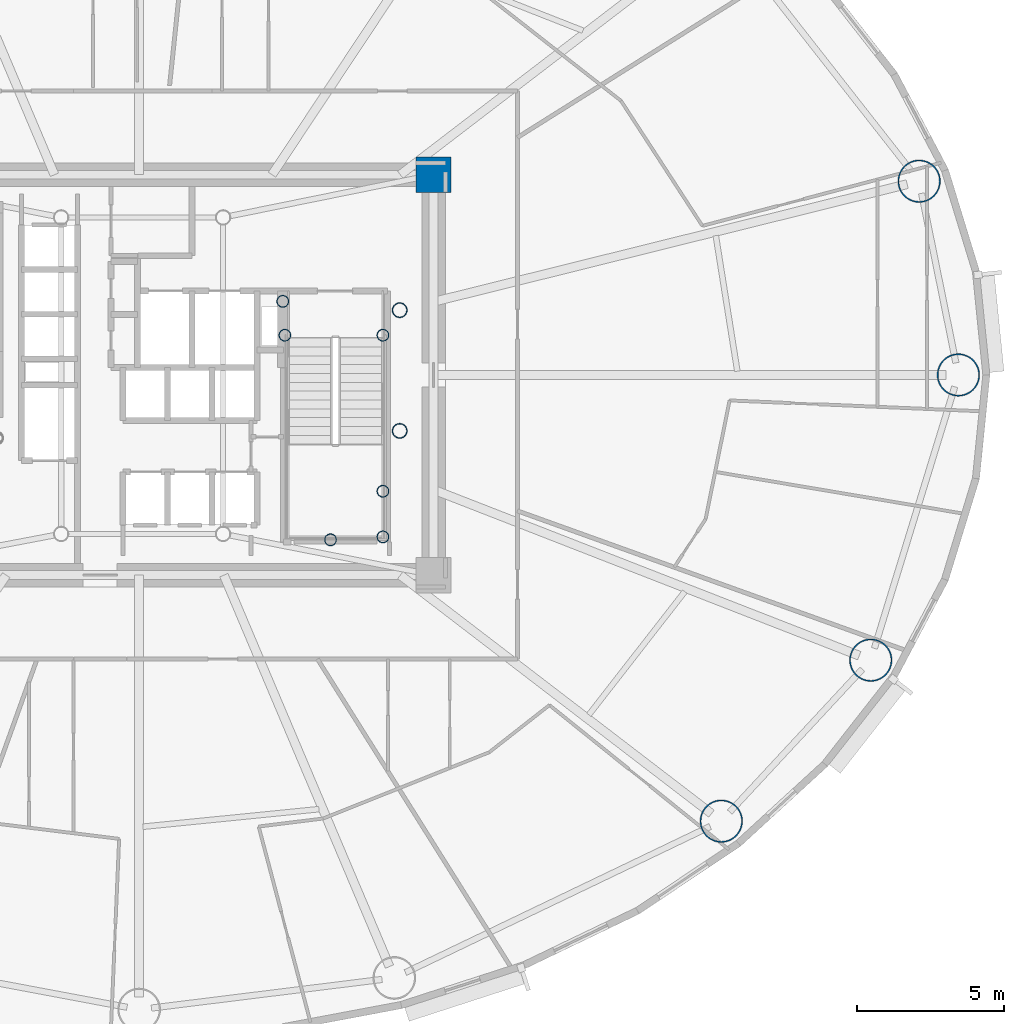
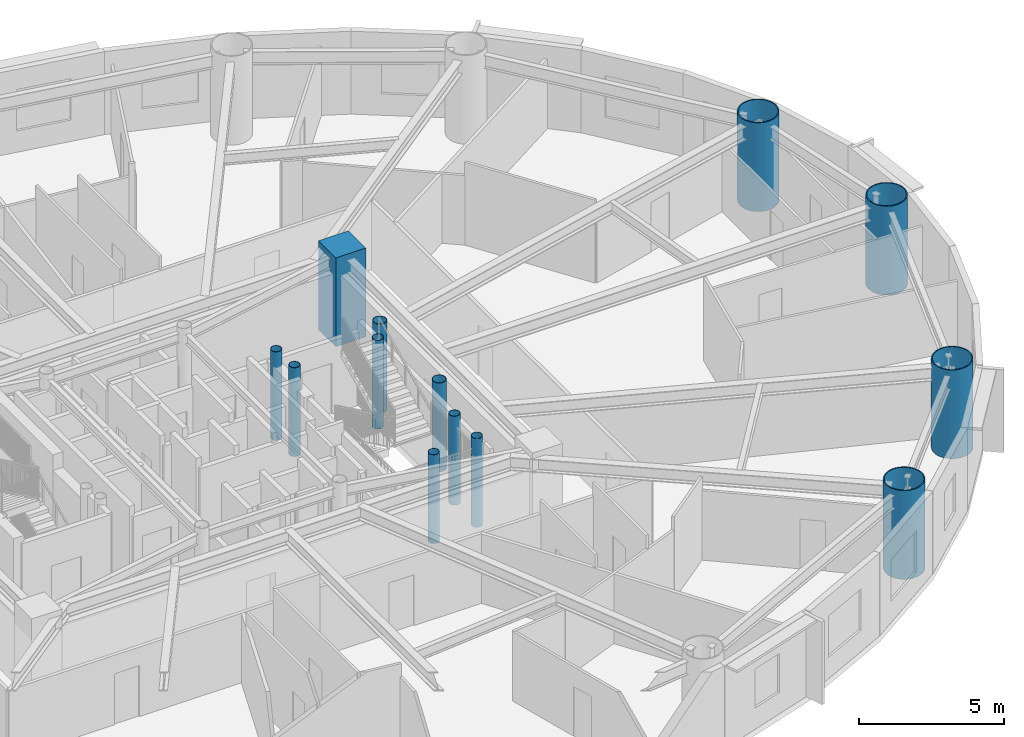
# One storey, part 2 of 19: 13 columns.
"""IFC4 building model written with IfcOpenShell, lengths in metres."""

from ifc_helpers import new_model, si_unit, direction, frame, origin, origin_2d, place, context, subcontext, project, spatial, rectangle, hollow_circle, extrude, material, material_profile, profile_set, type_object, element, save


model = new_model("IFC4")

# Units and contexts
model_context = context("Model", 3, precision=1e-05, world=origin(), true_north=direction((0.0, 1.0)))
body_context = subcontext(model_context, "Body", "Model", "MODEL_VIEW")
ifc_project = project(units=[si_unit("LENGTHUNIT", "METRE"), si_unit("AREAUNIT", "SQUARE_METRE"), si_unit("VOLUMEUNIT", "CUBIC_METRE"), si_unit("PLANEANGLEUNIT", "RADIAN"), si_unit("MASSUNIT", "GRAM", prefix="KILO")], contexts=[model_context])

# Site, building, storey
site_placement = place(None, origin())
site = spatial("IfcSite", under=ifc_project, at=site_placement, CompositionType="ELEMENT")
building_placement = place(site_placement, origin())
building = spatial("IfcBuilding", under=site, at=building_placement, Name="Linh Dai School and Residence Tower", CompositionType="ELEMENT")
storey_placement = place(building_placement, frame((0.0, 0.0, 119.699951171875)))
storey = spatial("IfcBuildingStorey", under=building, at=storey_placement, Name="L28", CompositionType="ELEMENT", Elevation=119.699951171875)

# Columns
ifc_material_1 = material(Name="Concrete B60 (C50/60)", Category="concrete")
ifc_material_profile_1 = material_profile(ifc_material_1, rectangle(XDim=1.199951171875, YDim=1.199951171875, at=origin_2d()), Name="RC 1200x1200")
ifc_profile_set_1 = profile_set([ifc_material_profile_1], Name="Concrete B60 (C50/60)")
column_type_1 = type_object("IfcColumnType", Name="COL-CC2", PredefinedType="COLUMN", material=ifc_profile_set_1)
column_placement = place(storey_placement, frame((46.0, 33.800048828125, 0.0), z_axis=(0.0, 0.0, 1.0), x_axis=(1.0, 0.0, 0.0)))
element("IfcColumn", 1, at=column_placement, inside=storey, type_object=column_type_1, Name="L28 Core Corner Pier CC3", PredefinedType="COLUMN", context=body_context, shape_type="SweptSolid", body=[
    extrude(rectangle(XDim=1.199951171875, YDim=1.199951171875, at=origin_2d()), origin(), (0.0, 0.0, 1.0), 3.75),
])
ifc_material_2 = material(Name="Structural Steel S355JR", Category="steel")
ifc_material_profile_2 = material_profile(ifc_material_2, hollow_circle(Radius=0.203125, WallThickness=0.01611328125, at=origin_2d()), Name="CHS 406.4x16")
ifc_profile_set_2 = profile_set([ifc_material_profile_2], Name="Structural Steel S355JR")
column_type_2 = type_object("IfcColumnType", Name="COL-EC", PredefinedType="COLUMN", material=ifc_profile_set_2)
for number, where, z_axis, x_axis, name in (
    (2, (44.280029296875, 21.5, 0.0), (0.0, 0.0, 1.0), (1.0, 0.0, 0.0), "L28 Stair Shaft Landing Support Pier ST2SE"),
    (3, (44.280029296875, 23.050048828125, 0.0), (0.0, 0.0, 1.0), (1.0, 0.0, 0.0), "L28 Stair Shaft Landing Support Pier ST2NE"),
    (4, (42.5, 21.39990234375, 0.0), (0.0, 0.0, 1.0), (1.0, 0.0, 0.0), "L28 Stair Shaft Landing Support Pier ST2MS"),
    (5, (40.949951171875, 28.35009765625, 0.0), (0.0, 0.0, 1.0), (1.0, 0.0, 0.0), "L28 Stair Shaft Landing Support Pier ST2N1"),
    (6, (44.280029296875, 28.35009765625, 0.0), (0.0, 0.0, 1.0), (1.0, 0.0, 0.0), "L28 Stair Shaft Landing Support Pier ST2N2"),
    (7, (40.8798828125, 29.5, 0.0), (0.0, 0.0, 1.0), (1.0, 0.0, 0.0), "L28 Stair Shaft Landing Support Pier ST2N3"),
):
    element("IfcColumn", number, at=place(storey_placement, frame(where, z_axis=z_axis, x_axis=x_axis)), inside=storey, type_object=column_type_2, Name=name, PredefinedType="COLUMN", context=body_context, shape_type="SweptSolid", body=[
        extrude(hollow_circle(Radius=0.203125, WallThickness=0.01611328125, at=origin_2d()), origin(), (0.0, 0.0, 1.0), 3.75),
    ])
ifc_material_profile_3 = material_profile(ifc_material_2, hollow_circle(Radius=0.72509765625, WallThickness=0.0419921875, at=origin_2d()), Name="CHS 1450x42")
ifc_profile_set_3 = profile_set([ifc_material_profile_3], Name="Structural Steel S355JR")
column_type_3 = type_object("IfcColumnType", Name="COL-MC3", PredefinedType="COLUMN", material=ifc_profile_set_3)
for number, where, z_axis, x_axis, name in (
    (8, (63.824951171875, 27.0, 0.0), (0.0, 0.0, 1.0), (1.0, 0.0, 0.0), "L28 Perimeter CFT Mega-Column MC01"),
    (9, (62.49267578125, 33.5810546875, 0.0), (0.0, 0.0, 1.0), (1.0, 0.0, 0.0), "L28 Perimeter CFT Mega-Column MC02"),
    (10, (55.772705078125, 11.844482421875, 0.0), (0.0, 0.0, 1.0), (1.0, 0.0, 0.0), "L28 Perimeter CFT Mega-Column MC15"),
    (11, (60.84912109375, 17.3125, 0.0), (0.0, 0.0, 1.0), (1.0, 0.0, 0.0), "L28 Perimeter CFT Mega-Column MC16"),
):
    element("IfcColumn", number, at=place(storey_placement, frame(where, z_axis=z_axis, x_axis=x_axis)), inside=storey, type_object=column_type_3, Name=name, PredefinedType="COLUMN", context=body_context, shape_type="SweptSolid", body=[
        extrude(hollow_circle(Radius=0.72509765625, WallThickness=0.0419921875, at=origin_2d()), origin(), (0.0, 0.0, 1.0), 3.75),
    ])
ifc_material_profile_4 = material_profile(ifc_material_2, hollow_circle(Radius=0.25390625, WallThickness=0.02001953125, at=origin_2d()), Name="CHS 508x20")
ifc_profile_set_4 = profile_set([ifc_material_profile_4], Name="Structural Steel S355JR")
column_type_4 = type_object("IfcColumnType", Name="COL-MCP", PredefinedType="COLUMN", material=ifc_profile_set_4)
for number, where, z_axis, x_axis, name in (
    (12, (44.85009765625, 25.10009765625, 0.0), (0.0, 0.0, 1.0), (1.0, 0.0, 0.0), "L28 Sky-Lounge Core Anchor Pier S"),
    (13, (44.85009765625, 29.199951171875, 0.0), (0.0, 0.0, 1.0), (1.0, 0.0, 0.0), "L28 Sky-Lounge Core Anchor Pier N"),
):
    element("IfcColumn", number, at=place(storey_placement, frame(where, z_axis=z_axis, x_axis=x_axis)), inside=storey, type_object=column_type_4, Name=name, PredefinedType="COLUMN", context=body_context, shape_type="SweptSolid", body=[
        extrude(hollow_circle(Radius=0.25390625, WallThickness=0.02001953125, at=origin_2d()), origin(), (0.0, 0.0, 1.0), 3.75),
    ])

save(model, "model.ifc")
